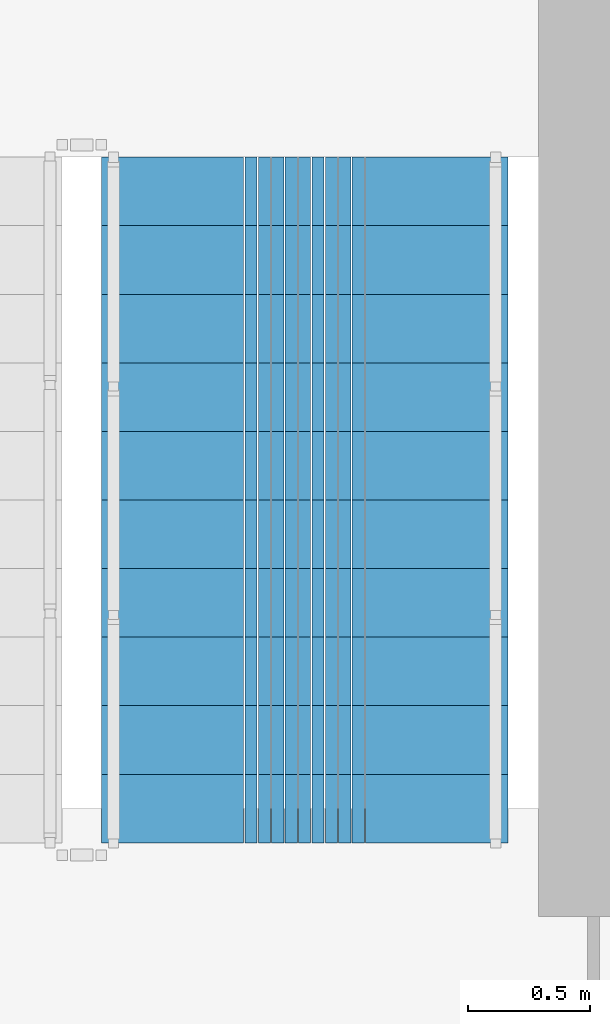
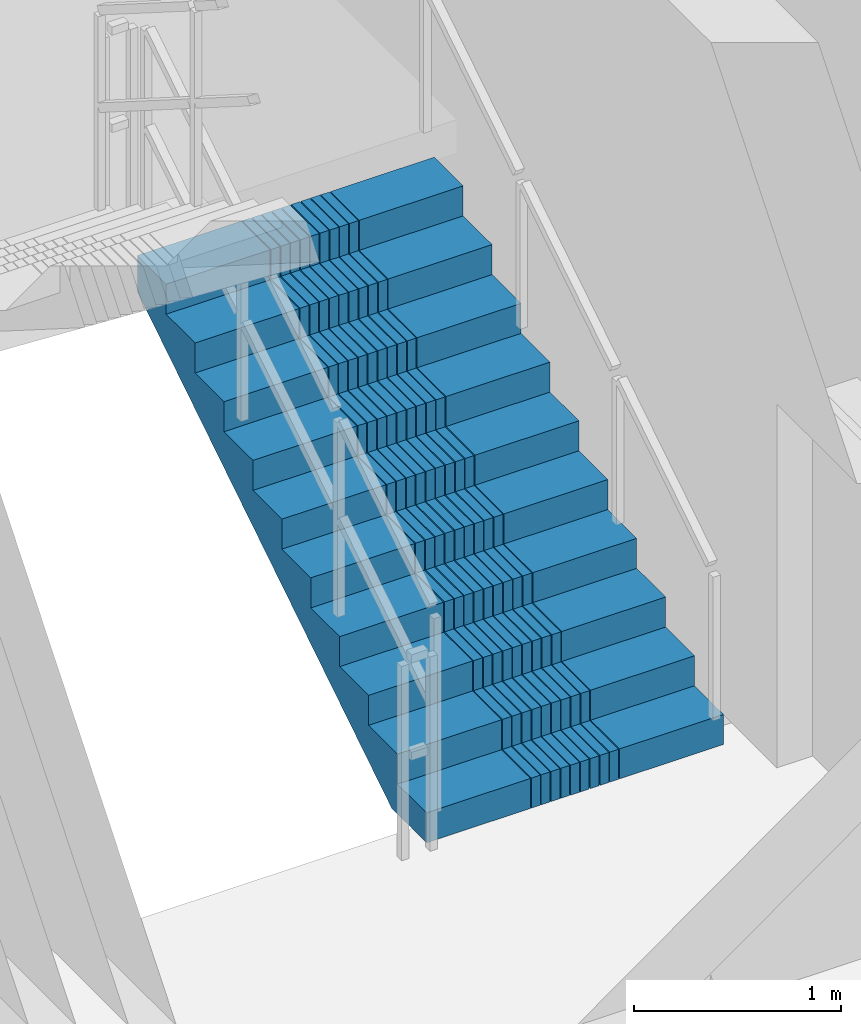
# One storey, part 10 of 15: 1 stair flight, 1 element without a shape of its own.
"""IFC4 building model written with IfcOpenShell, lengths in metres."""

from ifc_helpers import new_model, si_unit, direction, frame, origin, place, context, subcontext, project, spatial, polyline, outline, extrude, material, type_object, element, aggregate, save


model = new_model("IFC4")

# Units and contexts
model_context = context("Model", 3, precision=1e-05, world=origin(), true_north=direction((0.0, 1.0)))
body_context = subcontext(model_context, "Body", "Model", "MODEL_VIEW")
ifc_project = project(units=[si_unit("LENGTHUNIT", "METRE"), si_unit("AREAUNIT", "SQUARE_METRE"), si_unit("VOLUMEUNIT", "CUBIC_METRE"), si_unit("PLANEANGLEUNIT", "RADIAN"), si_unit("MASSUNIT", "GRAM", prefix="KILO")], contexts=[model_context])

# Site, building, storey
site_placement = place(None, origin())
site = spatial("IfcSite", under=ifc_project, at=site_placement, CompositionType="ELEMENT")
building_placement = place(site_placement, origin())
building = spatial("IfcBuilding", under=site, at=building_placement, Name="Saelheon Loggia Tower", CompositionType="ELEMENT")
storey_placement = place(building_placement, frame((0.0, 0.0, 159.10009765625)))
storey = spatial("IfcBuildingStorey", under=building, at=storey_placement, Name="L50", CompositionType="ELEMENT", Elevation=159.10009765625)

# Stair, stair flight
ifc_material = material(Name="Concrete C40/50", Category="concrete")
stair_type = type_object("IfcStairType", Name="Stair_Escape_Core", PredefinedType="HALF_TURN_STAIR", material=ifc_material)
stair_placement = place(storey_placement, origin())
stair = element("IfcStair", 1, at=stair_placement, inside=storey, type_object=stair_type, Name="L50 Special Escape Stair ST2", PredefinedType="HALF_TURN_STAIR")
stair_flight_type = type_object("IfcStairFlightType", Name="StairFlight_Tower_1660", PredefinedType="STRAIGHT", material=ifc_material)
stair_flight_placement = place(storey_placement, frame((43.320068359375, 30.449951171875, 0.0), z_axis=(0.0, 0.0, 1.0), x_axis=(0.0, 1.0, 0.0)))
stair_flight = element("IfcStairFlight", 2, at=stair_flight_placement, type_object=stair_flight_type, Name="ST2 flight 1", NumberOfRisers=11, NumberOfTreads=10, PredefinedType="STRAIGHT", RiserHeight=0.177272727, TreadLength=0.28, context=body_context, shape_type="SweptSolid", body=[
    extrude(outline(polyline([(0.0, 0.0), (0.0, 0.17724609375), (0.280029296875, 0.17724609375), (0.280029296875, 0.3544921875), (0.56005859375, 0.3544921875), (0.56005859375, 0.53173828125), (0.840087890625, 0.53173828125), (0.840087890625, 0.708984375), (1.1201171875, 0.708984375), (1.1201171875, 0.886474609375), (1.39990234375, 0.886474609375), (1.39990234375, 1.063720703125), (1.679931640625, 1.063720703125), (1.679931640625, 1.240966796875), (1.9599609375, 1.240966796875), (1.9599609375, 1.418212890625), (2.239990234375, 1.418212890625), (2.239990234375, 1.595458984375), (2.52001953125, 1.595458984375), (2.52001953125, 1.772705078125), (2.800048828125, 1.772705078125), (2.800048828125, 1.949951171875), (2.800048828125, 1.559814453125), (0.33642578125, 0.0), (0.0, 0.0)])), frame((0.0, -0.2490234375, 0.0), z_axis=(0.0, -1.0, 0.0), x_axis=(1.0, 0.0, 0.0)), (0.0, 0.0, 1.0), 0.5810546875),
    extrude(outline(polyline([(0.0, 0.0), (0.0, 0.17724609375), (0.280029296875, 0.17724609375), (0.280029296875, 0.3544921875), (0.56005859375, 0.3544921875), (0.56005859375, 0.53173828125), (0.840087890625, 0.53173828125), (0.840087890625, 0.708984375), (1.1201171875, 0.708984375), (1.1201171875, 0.886474609375), (1.39990234375, 0.886474609375), (1.39990234375, 1.063720703125), (1.679931640625, 1.063720703125), (1.679931640625, 1.240966796875), (1.9599609375, 1.240966796875), (1.9599609375, 1.418212890625), (2.239990234375, 1.418212890625), (2.239990234375, 1.595458984375), (2.52001953125, 1.595458984375), (2.52001953125, 1.772705078125), (2.800048828125, 1.772705078125), (2.800048828125, 1.949951171875), (2.800048828125, 1.559814453125), (0.33642578125, 0.0), (0.0, 0.0)])), frame((0.0, -0.194091796875, 0.0), z_axis=(0.0, -1.0, 0.0), x_axis=(1.0, 0.0, 0.0)), (0.0, 0.0, 1.0), 0.0498046875),
    extrude(outline(polyline([(0.0, 0.0), (0.0, 0.17724609375), (0.280029296875, 0.17724609375), (0.280029296875, 0.3544921875), (0.56005859375, 0.3544921875), (0.56005859375, 0.53173828125), (0.840087890625, 0.53173828125), (0.840087890625, 0.708984375), (1.1201171875, 0.708984375), (1.1201171875, 0.886474609375), (1.39990234375, 0.886474609375), (1.39990234375, 1.063720703125), (1.679931640625, 1.063720703125), (1.679931640625, 1.240966796875), (1.9599609375, 1.240966796875), (1.9599609375, 1.418212890625), (2.239990234375, 1.418212890625), (2.239990234375, 1.595458984375), (2.52001953125, 1.595458984375), (2.52001953125, 1.772705078125), (2.800048828125, 1.772705078125), (2.800048828125, 1.949951171875), (2.800048828125, 1.559814453125), (0.33642578125, 0.0), (0.0, 0.0)])), frame((0.0, -0.139404296875, 0.0), z_axis=(0.0, -1.0, 0.0), x_axis=(1.0, 0.0, 0.0)), (0.0, 0.0, 1.0), 0.0498046875),
    extrude(outline(polyline([(0.0, 0.0), (0.0, 0.17724609375), (0.280029296875, 0.17724609375), (0.280029296875, 0.3544921875), (0.56005859375, 0.3544921875), (0.56005859375, 0.53173828125), (0.840087890625, 0.53173828125), (0.840087890625, 0.708984375), (1.1201171875, 0.708984375), (1.1201171875, 0.886474609375), (1.39990234375, 0.886474609375), (1.39990234375, 1.063720703125), (1.679931640625, 1.063720703125), (1.679931640625, 1.240966796875), (1.9599609375, 1.240966796875), (1.9599609375, 1.418212890625), (2.239990234375, 1.418212890625), (2.239990234375, 1.595458984375), (2.52001953125, 1.595458984375), (2.52001953125, 1.772705078125), (2.800048828125, 1.772705078125), (2.800048828125, 1.949951171875), (2.800048828125, 1.559814453125), (0.33642578125, 0.0), (0.0, 0.0)])), frame((0.0, -0.084716796875, 0.0), z_axis=(0.0, -1.0, 0.0), x_axis=(1.0, 0.0, 0.0)), (0.0, 0.0, 1.0), 0.0498046875),
    extrude(outline(polyline([(0.0, 0.0), (0.0, 0.17724609375), (0.280029296875, 0.17724609375), (0.280029296875, 0.3544921875), (0.56005859375, 0.3544921875), (0.56005859375, 0.53173828125), (0.840087890625, 0.53173828125), (0.840087890625, 0.708984375), (1.1201171875, 0.708984375), (1.1201171875, 0.886474609375), (1.39990234375, 0.886474609375), (1.39990234375, 1.063720703125), (1.679931640625, 1.063720703125), (1.679931640625, 1.240966796875), (1.9599609375, 1.240966796875), (1.9599609375, 1.418212890625), (2.239990234375, 1.418212890625), (2.239990234375, 1.595458984375), (2.52001953125, 1.595458984375), (2.52001953125, 1.772705078125), (2.800048828125, 1.772705078125), (2.800048828125, 1.949951171875), (2.800048828125, 1.559814453125), (0.33642578125, 0.0), (0.0, 0.0)])), frame((0.0, -0.02978515625, 0.0), z_axis=(0.0, -1.0, 0.0), x_axis=(1.0, 0.0, 0.0)), (0.0, 0.0, 1.0), 0.0498046875),
    extrude(outline(polyline([(0.0, 0.0), (0.0, 0.17724609375), (0.280029296875, 0.17724609375), (0.280029296875, 0.3544921875), (0.56005859375, 0.3544921875), (0.56005859375, 0.53173828125), (0.840087890625, 0.53173828125), (0.840087890625, 0.708984375), (1.1201171875, 0.708984375), (1.1201171875, 0.886474609375), (1.39990234375, 0.886474609375), (1.39990234375, 1.063720703125), (1.679931640625, 1.063720703125), (1.679931640625, 1.240966796875), (1.9599609375, 1.240966796875), (1.9599609375, 1.418212890625), (2.239990234375, 1.418212890625), (2.239990234375, 1.595458984375), (2.52001953125, 1.595458984375), (2.52001953125, 1.772705078125), (2.800048828125, 1.772705078125), (2.800048828125, 1.949951171875), (2.800048828125, 1.559814453125), (0.33642578125, 0.0), (0.0, 0.0)])), frame((0.0, 0.02490234375, 0.0), z_axis=(0.0, -1.0, 0.0), x_axis=(1.0, 0.0, 0.0)), (0.0, 0.0, 1.0), 0.0498046875),
    extrude(outline(polyline([(0.0, 0.0), (0.0, 0.17724609375), (0.280029296875, 0.17724609375), (0.280029296875, 0.3544921875), (0.56005859375, 0.3544921875), (0.56005859375, 0.53173828125), (0.840087890625, 0.53173828125), (0.840087890625, 0.708984375), (1.1201171875, 0.708984375), (1.1201171875, 0.886474609375), (1.39990234375, 0.886474609375), (1.39990234375, 1.063720703125), (1.679931640625, 1.063720703125), (1.679931640625, 1.240966796875), (1.9599609375, 1.240966796875), (1.9599609375, 1.418212890625), (2.239990234375, 1.418212890625), (2.239990234375, 1.595458984375), (2.52001953125, 1.595458984375), (2.52001953125, 1.772705078125), (2.800048828125, 1.772705078125), (2.800048828125, 1.949951171875), (2.800048828125, 1.559814453125), (0.33642578125, 0.0), (0.0, 0.0)])), frame((0.0, 0.07958984375, 0.0), z_axis=(0.0, -1.0, 0.0), x_axis=(1.0, 0.0, 0.0)), (0.0, 0.0, 1.0), 0.0498046875),
    extrude(outline(polyline([(0.0, 0.0), (0.0, 0.17724609375), (0.280029296875, 0.17724609375), (0.280029296875, 0.3544921875), (0.56005859375, 0.3544921875), (0.56005859375, 0.53173828125), (0.840087890625, 0.53173828125), (0.840087890625, 0.708984375), (1.1201171875, 0.708984375), (1.1201171875, 0.886474609375), (1.39990234375, 0.886474609375), (1.39990234375, 1.063720703125), (1.679931640625, 1.063720703125), (1.679931640625, 1.240966796875), (1.9599609375, 1.240966796875), (1.9599609375, 1.418212890625), (2.239990234375, 1.418212890625), (2.239990234375, 1.595458984375), (2.52001953125, 1.595458984375), (2.52001953125, 1.772705078125), (2.800048828125, 1.772705078125), (2.800048828125, 1.949951171875), (2.800048828125, 1.559814453125), (0.33642578125, 0.0), (0.0, 0.0)])), frame((0.0, 0.134521484375, 0.0), z_axis=(0.0, -1.0, 0.0), x_axis=(1.0, 0.0, 0.0)), (0.0, 0.0, 1.0), 0.0498046875),
    extrude(outline(polyline([(0.0, 0.0), (0.0, 0.17724609375), (0.280029296875, 0.17724609375), (0.280029296875, 0.3544921875), (0.56005859375, 0.3544921875), (0.56005859375, 0.53173828125), (0.840087890625, 0.53173828125), (0.840087890625, 0.708984375), (1.1201171875, 0.708984375), (1.1201171875, 0.886474609375), (1.39990234375, 0.886474609375), (1.39990234375, 1.063720703125), (1.679931640625, 1.063720703125), (1.679931640625, 1.240966796875), (1.9599609375, 1.240966796875), (1.9599609375, 1.418212890625), (2.239990234375, 1.418212890625), (2.239990234375, 1.595458984375), (2.52001953125, 1.595458984375), (2.52001953125, 1.772705078125), (2.800048828125, 1.772705078125), (2.800048828125, 1.949951171875), (2.800048828125, 1.559814453125), (0.33642578125, 0.0), (0.0, 0.0)])), frame((0.0, 0.189208984375, 0.0), z_axis=(0.0, -1.0, 0.0), x_axis=(1.0, 0.0, 0.0)), (0.0, 0.0, 1.0), 0.0498046875),
    extrude(outline(polyline([(0.0, 0.0), (0.0, 0.17724609375), (0.280029296875, 0.17724609375), (0.280029296875, 0.3544921875), (0.56005859375, 0.3544921875), (0.56005859375, 0.53173828125), (0.840087890625, 0.53173828125), (0.840087890625, 0.708984375), (1.1201171875, 0.708984375), (1.1201171875, 0.886474609375), (1.39990234375, 0.886474609375), (1.39990234375, 1.063720703125), (1.679931640625, 1.063720703125), (1.679931640625, 1.240966796875), (1.9599609375, 1.240966796875), (1.9599609375, 1.418212890625), (2.239990234375, 1.418212890625), (2.239990234375, 1.595458984375), (2.52001953125, 1.595458984375), (2.52001953125, 1.772705078125), (2.800048828125, 1.772705078125), (2.800048828125, 1.949951171875), (2.800048828125, 1.559814453125), (0.33642578125, 0.0), (0.0, 0.0)])), frame((0.0, 0.243896484375, 0.0), z_axis=(0.0, -1.0, 0.0), x_axis=(1.0, 0.0, 0.0)), (0.0, 0.0, 1.0), 0.0498046875),
    extrude(outline(polyline([(0.0, 0.0), (0.0, 0.17724609375), (0.280029296875, 0.17724609375), (0.280029296875, 0.3544921875), (0.56005859375, 0.3544921875), (0.56005859375, 0.53173828125), (0.840087890625, 0.53173828125), (0.840087890625, 0.708984375), (1.1201171875, 0.708984375), (1.1201171875, 0.886474609375), (1.39990234375, 0.886474609375), (1.39990234375, 1.063720703125), (1.679931640625, 1.063720703125), (1.679931640625, 1.240966796875), (1.9599609375, 1.240966796875), (1.9599609375, 1.418212890625), (2.239990234375, 1.418212890625), (2.239990234375, 1.595458984375), (2.52001953125, 1.595458984375), (2.52001953125, 1.772705078125), (2.800048828125, 1.772705078125), (2.800048828125, 1.949951171875), (2.800048828125, 1.559814453125), (0.33642578125, 0.0), (0.0, 0.0)])), frame((0.0, 0.830078125, 0.0), z_axis=(0.0, -1.0, 0.0), x_axis=(1.0, 0.0, 0.0)), (0.0, 0.0, 1.0), 0.5810546875),
])
aggregate(stair, [stair_flight])

save(model, "model.ifc")
